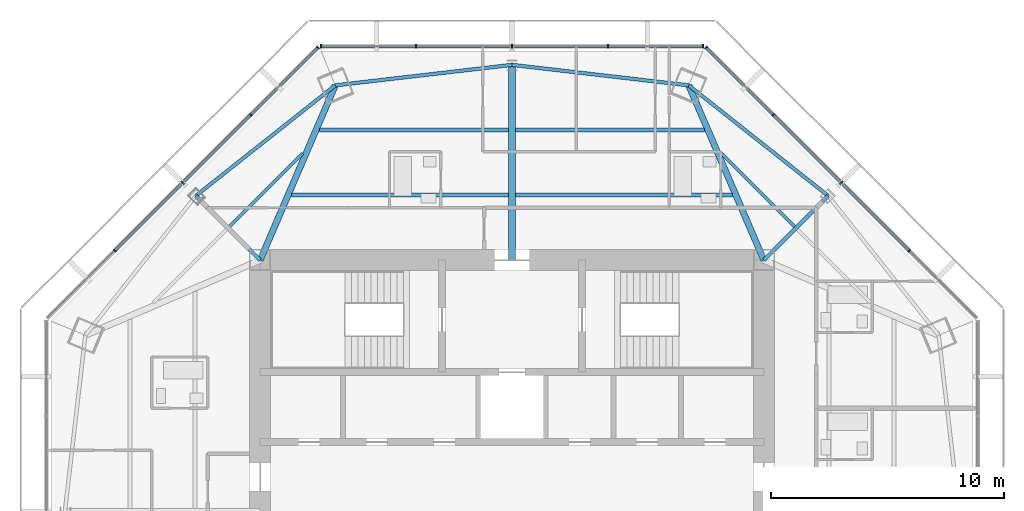
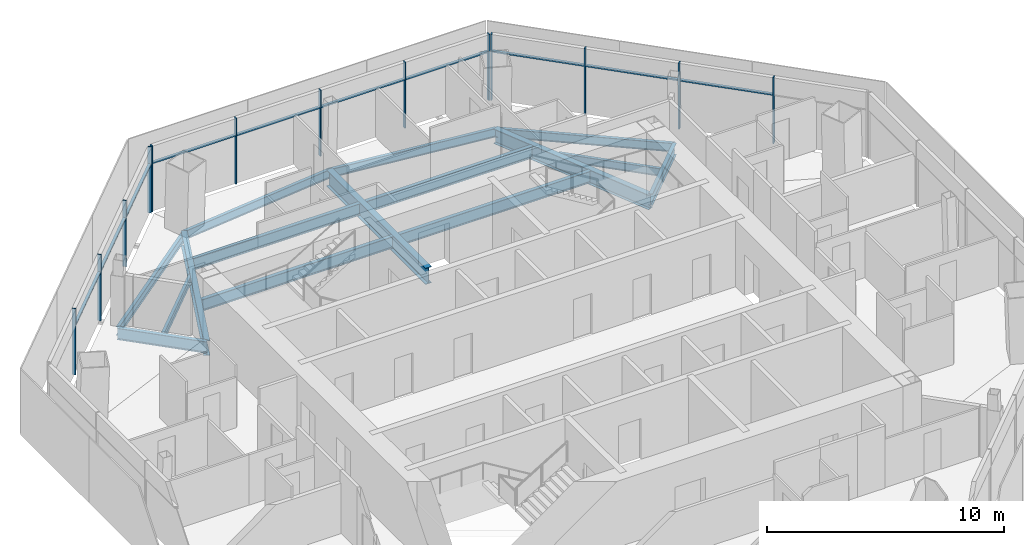
# One storey, part 6 of 14: 23 members, 15 beams, 3 elements without a shape of their own.
"""IFC4 building model written with IfcOpenShell, lengths in metres."""

from ifc_helpers import new_model, si_unit, direction, frame, origin, origin_2d, place, context, subcontext, project, spatial, rectangle, i_section, extrude, source, transform, mapped, material, material_profile, profile_set, type_object, type_shapes, element, aggregate, save


model = new_model("IFC4")

# Units and contexts
model_context = context("Model", 3, precision=1e-05, world=origin(), true_north=direction((0.0, 1.0)))
body_context = subcontext(model_context, "Body", "Model", "MODEL_VIEW")
ifc_project = project(units=[si_unit("LENGTHUNIT", "METRE"), si_unit("AREAUNIT", "SQUARE_METRE"), si_unit("VOLUMEUNIT", "CUBIC_METRE"), si_unit("PLANEANGLEUNIT", "RADIAN"), si_unit("MASSUNIT", "GRAM", prefix="KILO")], contexts=[model_context])

# Site, building, storey
site_placement = place(None, origin())
site = spatial("IfcSite", under=ifc_project, at=site_placement, CompositionType="ELEMENT")
building_placement = place(site_placement, origin())
building = spatial("IfcBuilding", under=site, at=building_placement, Name="Mashrafa Tower", CompositionType="ELEMENT")
storey_placement = place(building_placement, frame((0.0, 0.0, 284.39990234375)))
storey = spatial("IfcBuildingStorey", under=building, at=storey_placement, Name="L69", CompositionType="ELEMENT", Elevation=284.39990234375)

# Beams
ifc_material_1 = material(Name="Steel ASTM A992", Category="steel")
ifc_material_profile_1 = material_profile(ifc_material_1, i_section(OverallWidth=0.140380859375, OverallDepth=0.40380859375, WebThickness=0.007080078125, FlangeThickness=0.01123046875, FilletRadius=0.01025390625, at=origin_2d()), Name="W16X31")
ifc_profile_set_1 = profile_set([ifc_material_profile_1], Name="Steel ASTM A992")
beam_type_1 = type_object("IfcBeamType", Name="Beam W16X31", PredefinedType="BEAM", material=ifc_profile_set_1)
for number, where, z_axis, x_axis, name in (
    (1, (-12.116455078125, 12.242431640625, -0.40185546875), (0.707106781187, 0.707106781187, 0.0), (-0.707106781187, 0.707106781187, 0.0), "Floor beam L69 007"),
    (2, (8.97607421875, 15.3828125, -0.40185546875), (0.707106781187, -0.707106781187, 0.0), (0.707106781187, 0.707106781187, 0.0), "Floor beam L69 016"),
):
    element("IfcBeam", number, at=place(storey_placement, frame(where, z_axis=z_axis, x_axis=x_axis)), inside=storey, type_object=beam_type_1, Name=name, PredefinedType="BEAM", context=body_context, shape_type="SweptSolid", body=[
        extrude(i_section(OverallWidth=0.140380859375, OverallDepth=0.40380859375, WebThickness=0.007080078125, FlangeThickness=0.01123046875, FilletRadius=0.01025390625, at=origin_2d()), origin(), (0.0, 0.0, 1.0), 4.441162109375),
    ])
ifc_material_2 = material(Name="Steel ASTM A992", Category="steel")
ifc_material_profile_2 = material_profile(ifc_material_2, i_section(OverallWidth=0.15234375, OverallDepth=0.449462890625, WebThickness=0.007568359375, FlangeThickness=0.0107421875, FilletRadius=0.01025390625, at=origin_2d()), Name="W18X35")
ifc_profile_set_2 = profile_set([ifc_material_profile_2], Name="Steel ASTM A992")
beam_type_2 = type_object("IfcBeamType", Name="Beam W18X35", PredefinedType="BEAM", material=ifc_profile_set_2)
beam_1_placement = place(storey_placement, frame((-7.578857421875, 18.296875, -0.4248046875), z_axis=(-0.783797893211, -0.621015992224, 0.0), x_axis=(0.621015992224, -0.783797893211, 0.0)))
element("IfcBeam", 3, at=beam_1_placement, inside=storey, type_object=beam_type_2, Name="Spandrel beam L69 047", PredefinedType="BEAM", context=body_context, shape_type="SweptSolid", body=[
    extrude(i_section(OverallWidth=0.15234375, OverallDepth=0.449462890625, WebThickness=0.007568359375, FlangeThickness=0.0107421875, FilletRadius=0.01025390625, at=origin_2d()), origin(), (0.0, 0.0, 1.0), 7.62939453125),
])
for number, where, z_axis, x_axis, name in (
    (4, (0.0, 19.175048828125, -0.4248046875), (-0.993353745057, -0.115101421286, 0.0), (0.115101421286, -0.993353745057, 0.0), "Spandrel beam L69 049"),
    (5, (7.578857421875, 18.296875, -0.4248046875), (-0.993353745057, 0.115101421286, 0.0), (-0.115101421286, -0.993353745057, 0.0), "Spandrel beam L69 051"),
):
    element("IfcBeam", number, at=place(storey_placement, frame(where, z_axis=z_axis, x_axis=x_axis)), inside=storey, type_object=beam_type_2, Name=name, PredefinedType="BEAM", context=body_context, shape_type="SweptSolid", body=[
        extrude(i_section(OverallWidth=0.15234375, OverallDepth=0.449462890625, WebThickness=0.007568359375, FlangeThickness=0.0107421875, FilletRadius=0.01025390625, at=origin_2d()), origin(), (0.0, 0.0, 1.0), 7.629638671875),
    ])
beam_2_placement = place(storey_placement, frame((13.558837890625, 13.558837890625, -0.4248046875), z_axis=(-0.783797893211, 0.621015992224, 0.0), x_axis=(-0.621015992224, -0.783797893211, 0.0)))
element("IfcBeam", 6, at=beam_2_placement, inside=storey, type_object=beam_type_2, Name="Spandrel beam L69 053", PredefinedType="BEAM", context=body_context, shape_type="SweptSolid", body=[
    extrude(i_section(OverallWidth=0.15234375, OverallDepth=0.449462890625, WebThickness=0.007568359375, FlangeThickness=0.0107421875, FilletRadius=0.01025390625, at=origin_2d()), origin(), (0.0, 0.0, 1.0), 7.62939453125),
])
ifc_material_3 = material(Name="Steel ASTM A992", Category="steel")
ifc_material_profile_3 = material_profile(ifc_material_3, i_section(OverallWidth=0.177978515625, OverallDepth=0.599365234375, WebThickness=0.010009765625, FlangeThickness=0.012939453125, FilletRadius=0.012939453125, at=origin_2d()), Name="W24X55")
ifc_profile_set_3 = profile_set([ifc_material_profile_3], Name="Steel ASTM A992")
beam_type_3 = type_object("IfcBeamType", Name="Beam W24X55", PredefinedType="BEAM", material=ifc_profile_set_3)
beam_3_placement = place(storey_placement, frame((-9.455322265625, 13.591796875, -0.49951171875), z_axis=(1.0, 0.0, 0.0), x_axis=(0.0, 1.0, 0.0)))
element("IfcBeam", 7, at=beam_3_placement, inside=storey, type_object=beam_type_3, Name="Floor beam L69 008", PredefinedType="BEAM", context=body_context, shape_type="SweptSolid", body=[
    extrude(i_section(OverallWidth=0.177978515625, OverallDepth=0.599365234375, WebThickness=0.010009765625, FlangeThickness=0.012939453125, FilletRadius=0.012939453125, at=origin_2d()), origin(), (0.0, 0.0, 1.0), 9.309326171875),
])
beam_4_placement = place(storey_placement, frame((-8.255859375, 16.38330078125, -0.49951171875), z_axis=(1.0, 0.0, 0.0), x_axis=(0.0, 1.0, 0.0)))
element("IfcBeam", 8, at=beam_4_placement, inside=storey, type_object=beam_type_3, Name="Floor beam L69 010", PredefinedType="BEAM", context=body_context, shape_type="SweptSolid", body=[
    extrude(i_section(OverallWidth=0.177978515625, OverallDepth=0.599365234375, WebThickness=0.010009765625, FlangeThickness=0.012939453125, FilletRadius=0.012939453125, at=origin_2d()), origin(), (0.0, 0.0, 1.0), 8.10986328125),
])
beam_5_placement = place(storey_placement, frame((0.14599609375, 13.591796875, -0.49951171875), z_axis=(1.0, 0.0, 0.0), x_axis=(0.0, 1.0, 0.0)))
element("IfcBeam", 9, at=beam_5_placement, inside=storey, type_object=beam_type_3, Name="Floor beam L69 013", PredefinedType="BEAM", context=body_context, shape_type="SweptSolid", body=[
    extrude(i_section(OverallWidth=0.177978515625, OverallDepth=0.599365234375, WebThickness=0.010009765625, FlangeThickness=0.012939453125, FilletRadius=0.012939453125, at=origin_2d()), origin(), (0.0, 0.0, 1.0), 9.309326171875),
])
beam_6_placement = place(storey_placement, frame((0.14599609375, 16.38330078125, -0.49951171875), z_axis=(1.0, 0.0, 0.0), x_axis=(0.0, 1.0, 0.0)))
element("IfcBeam", 10, at=beam_6_placement, inside=storey, type_object=beam_type_3, Name="Floor beam L69 014", PredefinedType="BEAM", context=body_context, shape_type="SweptSolid", body=[
    extrude(i_section(OverallWidth=0.177978515625, OverallDepth=0.599365234375, WebThickness=0.010009765625, FlangeThickness=0.012939453125, FilletRadius=0.012939453125, at=origin_2d()), origin(), (0.0, 0.0, 1.0), 8.10986328125),
])
for number, where, z_axis, x_axis, name in (
    (11, (-10.800048828125, 10.800048828125, -0.49951171875), (-0.707106781187, 0.707106781187, 0.0), (-0.707106781187, -0.707106781187, 0.0), "Radial girder L69 030"),
    (12, (10.800048828125, 10.800048828125, -0.49951171875), (0.707106781187, 0.707106781187, 0.0), (-0.707106781187, 0.707106781187, 0.0), "Radial girder L69 039"),
):
    element("IfcBeam", number, at=place(storey_placement, frame(where, z_axis=z_axis, x_axis=x_axis)), inside=storey, type_object=beam_type_3, Name=name, PredefinedType="BEAM", context=body_context, shape_type="SweptSolid", body=[
        extrude(i_section(OverallWidth=0.177978515625, OverallDepth=0.599365234375, WebThickness=0.010009765625, FlangeThickness=0.012939453125, FilletRadius=0.012939453125, at=origin_2d()), origin(), (0.0, 0.0, 1.0), 3.901611328125),
    ])
ifc_material_4 = material(Name="Steel ASTM A992", Category="steel")
ifc_material_profile_4 = material_profile(ifc_material_4, i_section(OverallWidth=0.2666015625, OverallDepth=0.761962890625, WebThickness=0.014404296875, FlangeThickness=0.021484375, FilletRadius=0.0166015625, at=origin_2d()), Name="W30X116")
ifc_profile_set_4 = profile_set([ifc_material_profile_4], Name="Steel ASTM A992")
beam_type_4 = type_object("IfcBeamType", Name="Beam W30X116", PredefinedType="BEAM", material=ifc_profile_set_4)
for number, where, z_axis, x_axis, name in (
    (13, (-10.800048828125, 10.800048828125, -0.580810546875), (0.394774965721, 0.918777843899, 0.0), (-0.918777843899, 0.394774965721, 0.0), "Radial girder L69 031"),
    (14, (10.800048828125, 10.800048828125, -0.580810546875), (-0.394774965721, 0.918777843899, 0.0), (-0.918777843899, -0.394774965721, 0.0), "Radial girder L69 038"),
):
    element("IfcBeam", number, at=place(storey_placement, frame(where, z_axis=z_axis, x_axis=x_axis)), inside=storey, type_object=beam_type_4, Name=name, PredefinedType="BEAM", context=body_context, shape_type="SweptSolid", body=[
        extrude(i_section(OverallWidth=0.2666015625, OverallDepth=0.761962890625, WebThickness=0.014404296875, FlangeThickness=0.021484375, FilletRadius=0.0166015625, at=origin_2d()), origin(), (0.0, 0.0, 1.0), 8.15966796875),
    ])
ifc_material_5 = material(Name="Steel ASTM A992", Category="steel")
ifc_material_profile_5 = material_profile(ifc_material_5, i_section(OverallWidth=0.2919921875, OverallDepth=0.845703125, WebThickness=0.015380859375, FlangeThickness=0.0244140625, FilletRadius=0.017333984375, at=origin_2d()), Name="W33X141")
ifc_profile_set_5 = profile_set([ifc_material_profile_5], Name="Steel ASTM A992")
beam_type_5 = type_object("IfcBeamType", Name="Beam W33X141", PredefinedType="BEAM", material=ifc_profile_set_5)
beam_7_placement = place(storey_placement, frame((0.0, 10.800048828125, -0.622802734375), z_axis=(0.0, 1.0, 0.0), x_axis=(-1.0, 0.0, 0.0)))
element("IfcBeam", 15, at=beam_7_placement, inside=storey, type_object=beam_type_5, Name="Radial girder L69 033", PredefinedType="BEAM", context=body_context, shape_type="SweptSolid", body=[
    extrude(i_section(OverallWidth=0.2919921875, OverallDepth=0.845703125, WebThickness=0.015380859375, FlangeThickness=0.0244140625, FilletRadius=0.017333984375, at=origin_2d()), origin(), (0.0, 0.0, 1.0), 8.375),
])

# Curtain wall, members
ifc_material_6 = material(Name="Unitised aluminium curtain wall", Category="aluminium")
curtain_wall_type = type_object("IfcCurtainWallType", Name="Apartment curtain wall, zone 4 CW-D 160 deep", PredefinedType="NOTDEFINED", material=ifc_material_6)
curtain_wall_1_placement = place(storey_placement, origin())
curtain_wall_1 = element("IfcCurtainWall", 16, at=curtain_wall_1_placement, inside=storey, type_object=curtain_wall_type, Name="Apartment curtain wall, zone 4 L69 north-east", PredefinedType="NOTDEFINED")
ifc_material_7 = material(Name="Extruded aluminium mullion", Category="aluminium")
ifc_material_profile_6 = material_profile(ifc_material_7, rectangle(XDim=0.159912109375, YDim=0.06005859375, at=origin_2d()), Name="Mullion 60x160")
ifc_profile_set_6 = profile_set([ifc_material_profile_6], Name="Extruded aluminium mullion")
member_type_1 = type_object("IfcMemberType", Name="Mullion CW-D 60 x 160", PredefinedType="MULLION", material=ifc_profile_set_6)
shared_shape_1 = source(origin(), body_context, "Body", "SweptSolid", [
    extrude(rectangle(XDim=0.159912109375, YDim=0.06005859375, at=origin_2d()), origin(), (0.0, 0.0, 1.0), 3.400146484375),
])
type_shapes(member_type_1, [shared_shape_1])
member_1_placement = place(storey_placement, frame((17.02978515625, 11.21142578125, 0.0), z_axis=(0.0, 0.0, 1.0), x_axis=(-0.707106781187, -0.707106781187, 0.0)))
member_1 = element("IfcMember", 17, at=member_1_placement, type_object=member_type_1, Name="CW-D mullion 2", PredefinedType="MULLION", context=body_context, shape_type="MappedRepresentation", body=[
    mapped(shared_shape_1, transform((0.0, 0.0, 0.0))),
])
member_2_placement = place(storey_placement, frame((14.12060546875, 14.12060546875, 0.0), z_axis=(0.0, 0.0, 1.0), x_axis=(-0.707106781187, -0.707106781187, 0.0)))
member_2 = element("IfcMember", 18, at=member_2_placement, type_object=member_type_1, Name="CW-D mullion 3", PredefinedType="MULLION", context=body_context, shape_type="MappedRepresentation", body=[
    mapped(shared_shape_1, transform((0.0, 0.0, 0.0))),
])
member_3_placement = place(storey_placement, frame((11.21142578125, 17.02978515625, 0.0), z_axis=(0.0, 0.0, 1.0), x_axis=(-0.707106781187, -0.707106781187, 0.0)))
member_3 = element("IfcMember", 19, at=member_3_placement, type_object=member_type_1, Name="CW-D mullion 4", PredefinedType="MULLION", context=body_context, shape_type="MappedRepresentation", body=[
    mapped(shared_shape_1, transform((0.0, 0.0, 0.0))),
])
member_4_placement = place(storey_placement, frame((8.3232421875, 19.917724609375, 0.0), z_axis=(0.0, 0.0, 1.0), x_axis=(-0.707106781187, -0.707106781187, 0.0)))
member_4 = element("IfcMember", 20, at=member_4_placement, type_object=member_type_1, Name="CW-D mullion 5", PredefinedType="MULLION", context=body_context, shape_type="MappedRepresentation", body=[
    mapped(shared_shape_1, transform((0.0, 0.0, 0.0))),
])

curtain_wall_2_placement = place(storey_placement, origin())
curtain_wall_2 = element("IfcCurtainWall", 21, at=curtain_wall_2_placement, inside=storey, type_object=curtain_wall_type, Name="Apartment curtain wall, zone 4 L69 north", PredefinedType="NOTDEFINED")
member_5_placement = place(storey_placement, frame((8.198486328125, 19.969482421875, 0.0), z_axis=(0.0, 0.0, 1.0), x_axis=(0.0, -1.0, 0.0)))
member_5 = element("IfcMember", 22, at=member_5_placement, type_object=member_type_1, Name="CW-D mullion 1", PredefinedType="MULLION", context=body_context, shape_type="MappedRepresentation", body=[
    mapped(shared_shape_1, transform((0.0, 0.0, 0.0))),
])
member_6_placement = place(storey_placement, frame((4.1142578125, 19.969482421875, 0.0), z_axis=(0.0, 0.0, 1.0), x_axis=(0.0, -1.0, 0.0)))
member_6 = element("IfcMember", 23, at=member_6_placement, type_object=member_type_1, Name="CW-D mullion 2", PredefinedType="MULLION", context=body_context, shape_type="MappedRepresentation", body=[
    mapped(shared_shape_1, transform((0.0, 0.0, 0.0))),
])
member_7_placement = place(storey_placement, frame((0.0, 19.969482421875, 0.0), z_axis=(0.0, 0.0, 1.0), x_axis=(0.0, -1.0, 0.0)))
member_7 = element("IfcMember", 24, at=member_7_placement, type_object=member_type_1, Name="CW-D mullion 3", PredefinedType="MULLION", context=body_context, shape_type="MappedRepresentation", body=[
    mapped(shared_shape_1, transform((0.0, 0.0, 0.0))),
])
member_8_placement = place(storey_placement, frame((-4.1142578125, 19.969482421875, 0.0), z_axis=(0.0, 0.0, 1.0), x_axis=(0.0, -1.0, 0.0)))
member_8 = element("IfcMember", 25, at=member_8_placement, type_object=member_type_1, Name="CW-D mullion 4", PredefinedType="MULLION", context=body_context, shape_type="MappedRepresentation", body=[
    mapped(shared_shape_1, transform((0.0, 0.0, 0.0))),
])
member_9_placement = place(storey_placement, frame((-8.198486328125, 19.969482421875, 0.0), z_axis=(0.0, 0.0, 1.0), x_axis=(0.0, -1.0, 0.0)))
member_9 = element("IfcMember", 26, at=member_9_placement, type_object=member_type_1, Name="CW-D mullion 5", PredefinedType="MULLION", context=body_context, shape_type="MappedRepresentation", body=[
    mapped(shared_shape_1, transform((0.0, 0.0, 0.0))),
])

curtain_wall_3_placement = place(storey_placement, origin())
curtain_wall_3 = element("IfcCurtainWall", 27, at=curtain_wall_3_placement, inside=storey, type_object=curtain_wall_type, Name="Apartment curtain wall, zone 4 L69 north-west", PredefinedType="NOTDEFINED")
member_10_placement = place(storey_placement, frame((-8.3232421875, 19.917724609375, 0.0), z_axis=(0.0, 0.0, 1.0), x_axis=(0.707106781187, -0.707106781187, 0.0)))
member_10 = element("IfcMember", 28, at=member_10_placement, type_object=member_type_1, Name="CW-D mullion 1", PredefinedType="MULLION", context=body_context, shape_type="MappedRepresentation", body=[
    mapped(shared_shape_1, transform((0.0, 0.0, 0.0))),
])
member_11_placement = place(storey_placement, frame((-11.21142578125, 17.02978515625, 0.0), z_axis=(0.0, 0.0, 1.0), x_axis=(0.707106781187, -0.707106781187, 0.0)))
member_11 = element("IfcMember", 29, at=member_11_placement, type_object=member_type_1, Name="CW-D mullion 2", PredefinedType="MULLION", context=body_context, shape_type="MappedRepresentation", body=[
    mapped(shared_shape_1, transform((0.0, 0.0, 0.0))),
])
member_12_placement = place(storey_placement, frame((-14.12060546875, 14.12060546875, 0.0), z_axis=(0.0, 0.0, 1.0), x_axis=(0.707106781187, -0.707106781187, 0.0)))
member_12 = element("IfcMember", 30, at=member_12_placement, type_object=member_type_1, Name="CW-D mullion 3", PredefinedType="MULLION", context=body_context, shape_type="MappedRepresentation", body=[
    mapped(shared_shape_1, transform((0.0, 0.0, 0.0))),
])
member_13_placement = place(storey_placement, frame((-17.02978515625, 11.21142578125, 0.0), z_axis=(0.0, 0.0, 1.0), x_axis=(0.707106781187, -0.707106781187, 0.0)))
member_13 = element("IfcMember", 31, at=member_13_placement, type_object=member_type_1, Name="CW-D mullion 4", PredefinedType="MULLION", context=body_context, shape_type="MappedRepresentation", body=[
    mapped(shared_shape_1, transform((0.0, 0.0, 0.0))),
])

# Member
ifc_material_8 = material(Name="Extruded aluminium transom", Category="aluminium")
ifc_material_profile_7 = material_profile(ifc_material_8, rectangle(XDim=0.1279296875, YDim=0.074951171875, at=origin_2d()), Name="Transom 75x128")
ifc_profile_set_7 = profile_set([ifc_material_profile_7], Name="Extruded aluminium transom")
member_type_2 = type_object("IfcMemberType", Name="Transom CW-D 75 x 128", PredefinedType="MULLION", material=ifc_profile_set_7)
shared_shape_2 = source(origin(), body_context, "Body", "SweptSolid", [
    extrude(rectangle(XDim=0.1279296875, YDim=0.074951171875, at=origin_2d()), origin(), (0.0, 0.0, 1.0), 4.024169921875),
])
member_14_placement = place(storey_placement, frame((11.190185546875, 17.051025390625, 2.5), z_axis=(-0.707137114146, 0.707076446926, 0.0), x_axis=(-0.707076446926, -0.707137114146, 0.0)))
member_14 = element("IfcMember", 32, at=member_14_placement, type_object=member_type_2, Name="CW-D transom 4", PredefinedType="MULLION", context=body_context, shape_type="MappedRepresentation", body=[
    mapped(shared_shape_2, transform((0.0, 0.0, 0.0))),
])

member_15_placement = place(storey_placement, frame((8.16845703125, 19.969482421875, 2.5), z_axis=(-1.0, 0.0, 0.0), x_axis=(0.0, -1.0, 0.0)))
member_15 = element("IfcMember", 33, at=member_15_placement, type_object=member_type_2, Name="CW-D transom 1", PredefinedType="MULLION", context=body_context, shape_type="MappedRepresentation", body=[
    mapped(shared_shape_2, transform((0.0, 0.0, 0.0))),
])

member_16_placement = place(storey_placement, frame((-4.144287109375, 19.969482421875, 2.5), z_axis=(-1.0, 0.0, 0.0), x_axis=(0.0, -1.0, 0.0)))
member_16 = element("IfcMember", 34, at=member_16_placement, type_object=member_type_2, Name="CW-D transom 4", PredefinedType="MULLION", context=body_context, shape_type="MappedRepresentation", body=[
    mapped(shared_shape_2, transform((0.0, 0.0, 0.0))),
])

member_17_placement = place(storey_placement, frame((-8.344482421875, 19.896484375, 2.5), z_axis=(-0.707137114146, -0.707076446926, 0.0), x_axis=(0.707076446926, -0.707137114146, 0.0)))
member_17 = element("IfcMember", 35, at=member_17_placement, type_object=member_type_2, Name="CW-D transom 1", PredefinedType="MULLION", context=body_context, shape_type="MappedRepresentation", body=[
    mapped(shared_shape_2, transform((0.0, 0.0, 0.0))),
])

shared_shape_3 = source(origin(), body_context, "Body", "SweptSolid", [
    extrude(rectangle(XDim=0.1279296875, YDim=0.074951171875, at=origin_2d()), origin(), (0.0, 0.0, 1.0), 4.05419921875),
])
type_shapes(member_type_2, [shared_shape_2, shared_shape_3])
member_18_placement = place(storey_placement, frame((17.008544921875, 11.232421875, 2.5), z_axis=(-0.707076671677, 0.707136889414, 0.0), x_axis=(-0.707136889414, -0.707076671677, 0.0)))
member_18 = element("IfcMember", 36, at=member_18_placement, type_object=member_type_2, Name="CW-D transom 2", PredefinedType="MULLION", context=body_context, shape_type="MappedRepresentation", body=[
    mapped(shared_shape_3, transform((0.0, 0.0, 0.0))),
])

member_19_placement = place(storey_placement, frame((14.099365234375, 14.141845703125, 2.5), z_axis=(-0.707136889414, 0.707076671677, 0.0), x_axis=(-0.707076671677, -0.707136889414, 0.0)))
member_19 = element("IfcMember", 37, at=member_19_placement, type_object=member_type_2, Name="CW-D transom 3", PredefinedType="MULLION", context=body_context, shape_type="MappedRepresentation", body=[
    mapped(shared_shape_3, transform((0.0, 0.0, 0.0))),
])

aggregate(curtain_wall_1, [member_1, member_2, member_3, member_4, member_18, member_19, member_14])

member_20_placement = place(storey_placement, frame((4.084228515625, 19.969482421875, 2.5), z_axis=(-1.0, 0.0, 0.0), x_axis=(0.0, -1.0, 0.0)))
member_20 = element("IfcMember", 38, at=member_20_placement, type_object=member_type_2, Name="CW-D transom 2", PredefinedType="MULLION", context=body_context, shape_type="MappedRepresentation", body=[
    mapped(shared_shape_3, transform((0.0, 0.0, 0.0))),
])

member_21_placement = place(storey_placement, frame((-0.030029296875, 19.969482421875, 2.5), z_axis=(-1.0, 0.0, 0.0), x_axis=(0.0, -1.0, 0.0)))
member_21 = element("IfcMember", 39, at=member_21_placement, type_object=member_type_2, Name="CW-D transom 3", PredefinedType="MULLION", context=body_context, shape_type="MappedRepresentation", body=[
    mapped(shared_shape_3, transform((0.0, 0.0, 0.0))),
])

aggregate(curtain_wall_2, [member_5, member_6, member_7, member_8, member_9, member_15, member_20, member_21, member_16])

member_22_placement = place(storey_placement, frame((-11.232421875, 17.008544921875, 2.5), z_axis=(-0.707136889414, -0.707076671677, 0.0), x_axis=(0.707076671677, -0.707136889414, 0.0)))
member_22 = element("IfcMember", 40, at=member_22_placement, type_object=member_type_2, Name="CW-D transom 2", PredefinedType="MULLION", context=body_context, shape_type="MappedRepresentation", body=[
    mapped(shared_shape_3, transform((0.0, 0.0, 0.0))),
])

member_23_placement = place(storey_placement, frame((-14.141845703125, 14.099365234375, 2.5), z_axis=(-0.707076671677, -0.707136889414, 0.0), x_axis=(0.707136889414, -0.707076671677, 0.0)))
member_23 = element("IfcMember", 41, at=member_23_placement, type_object=member_type_2, Name="CW-D transom 3", PredefinedType="MULLION", context=body_context, shape_type="MappedRepresentation", body=[
    mapped(shared_shape_3, transform((0.0, 0.0, 0.0))),
])

aggregate(curtain_wall_3, [member_10, member_11, member_12, member_13, member_17, member_22, member_23])

save(model, "model.ifc")
